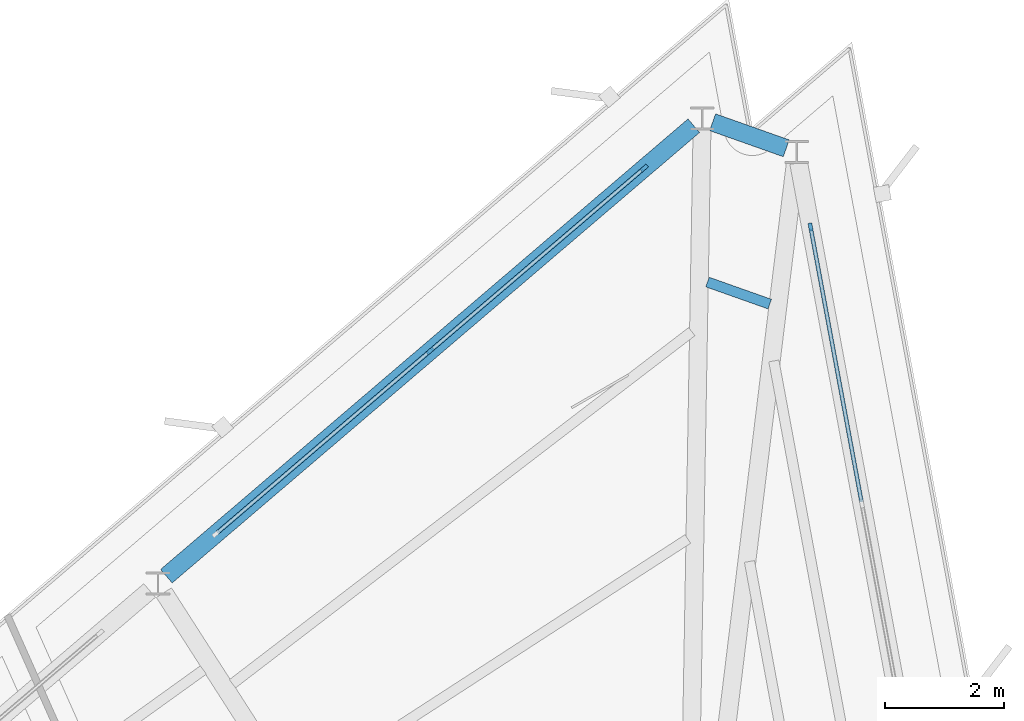
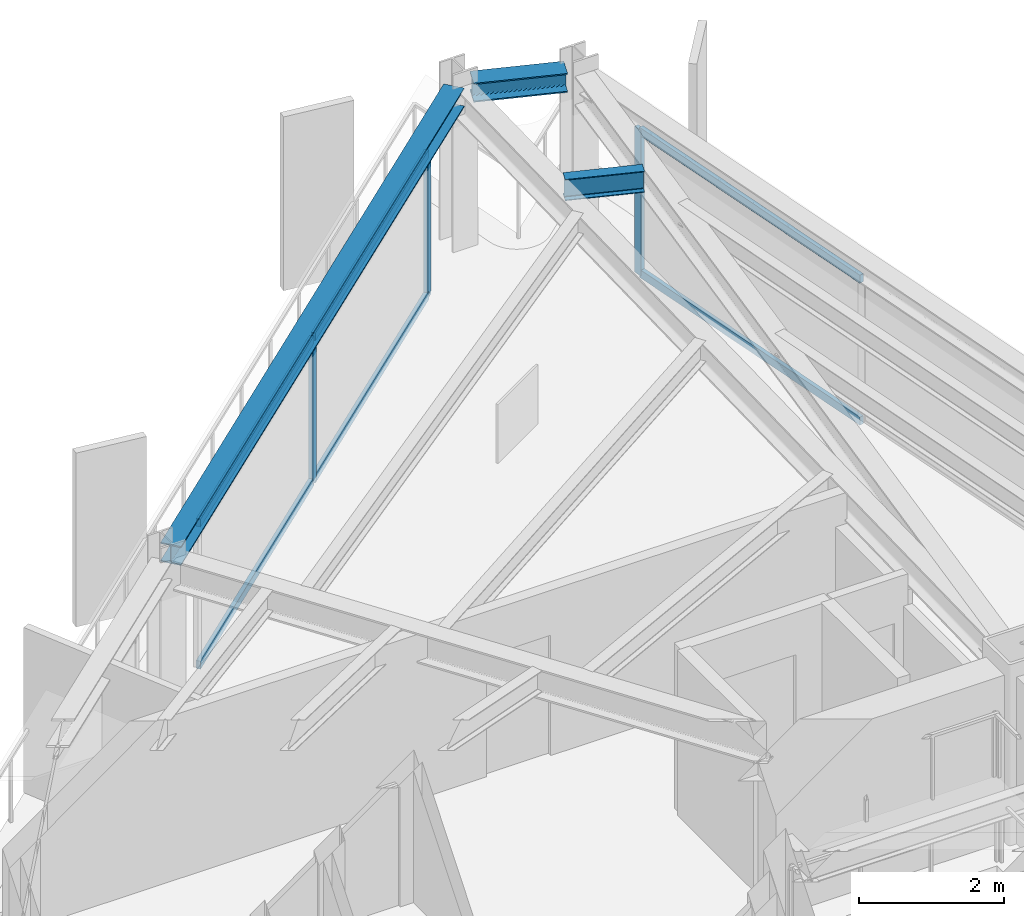
# One storey, part 7 of 14: 9 members, 3 beams, 2 elements without a shape of their own.
"""IFC4 building model written with IfcOpenShell, lengths in metres."""

from ifc_helpers import new_model, si_unit, direction, frame, origin, origin_2d, place, context, subcontext, project, spatial, rectangle, i_section, extrude, material, layer, layer_set, material_profile, profile_set, type_object, element, aggregate, save


model = new_model("IFC4")

# Units and contexts
model_context = context("Model", 3, precision=1e-05, world=origin(), true_north=direction((0.0, 1.0)))
body_context = subcontext(model_context, "Body", "Model", "MODEL_VIEW")
ifc_project = project(units=[si_unit("LENGTHUNIT", "METRE"), si_unit("AREAUNIT", "SQUARE_METRE"), si_unit("VOLUMEUNIT", "CUBIC_METRE"), si_unit("PLANEANGLEUNIT", "RADIAN"), si_unit("MASSUNIT", "GRAM", prefix="KILO")], contexts=[model_context])

# Site, building, storey
site_placement = place(None, origin())
site = spatial("IfcSite", under=ifc_project, at=site_placement, CompositionType="ELEMENT")
building_placement = place(site_placement, origin())
building = spatial("IfcBuilding", under=site, at=building_placement, Name="Rocaltana Carrier Exchange", CompositionType="ELEMENT")
storey_placement = place(building_placement, frame((0.0, 0.0, 184.47998046875)))
storey = spatial("IfcBuildingStorey", under=building, at=storey_placement, Name="L58", CompositionType="ELEMENT", Elevation=184.47998046875)

# Curtain wall, member
ifc_material_1 = material(Name="Aluminium 6063-T6", Category="aluminium")
ifc_layer = layer(ifc_material_1, 0.135009765625)
ifc_layer_set = layer_set([ifc_layer], Name="Aluminium 6063-T6")
curtain_wall_type = type_object("IfcCurtainWallType", Name="Upper-Mid Acoustic Curtain Wall CW-04", PredefinedType="NOTDEFINED", material=ifc_layer_set)
curtain_wall_1_placement = place(storey_placement, origin())
curtain_wall_1 = element("IfcCurtainWall", 1, at=curtain_wall_1_placement, inside=storey, type_object=curtain_wall_type, Name="L58 CW-04 Run CW-L58-F1S3", PredefinedType="NOTDEFINED")
ifc_material_2 = material(Name="Aluminium 6063-T6", Category="aluminium")
ifc_material_profile_1 = material_profile(ifc_material_2, rectangle(XDim=0.06494140625, YDim=0.135009765625, at=origin_2d()), Name="AL-65X135")
ifc_profile_set_1 = profile_set([ifc_material_profile_1], Name="Aluminium 6063-T6")
member_type_1 = type_object("IfcMemberType", Name="CW-04 Mullion AL-65X135", PredefinedType="MULLION", material=ifc_profile_set_1)
member_1_placement = place(storey_placement, frame((8.1474609375, 18.56298828125, 0.0), z_axis=(0.0, 0.0, 1.0), x_axis=(-0.983254796134, -0.182236126712, 0.0)))
member_1 = element("IfcMember", 2, at=member_1_placement, type_object=member_type_1, Name="CW-04 mullion 3", PredefinedType="MULLION", context=body_context, shape_type="SweptSolid", body=[
    extrude(rectangle(XDim=0.06494140625, YDim=0.135009765625, at=origin_2d()), origin(), (0.0, 0.0, 1.0), 2.447998046875),
])

# Curtain wall, members
curtain_wall_2_placement = place(storey_placement, origin())
curtain_wall_2 = element("IfcCurtainWall", 3, at=curtain_wall_2_placement, inside=storey, type_object=curtain_wall_type, Name="L58 CW-04 Run CW-L58-F2S1", PredefinedType="NOTDEFINED")
member_2_placement = place(storey_placement, frame((5.350341796875, 19.5537109375, 0.0), z_axis=(0.0, 0.0, 1.0), x_axis=(0.649447944918, -0.760406053922, 0.0)))
member_2 = element("IfcMember", 4, at=member_2_placement, type_object=member_type_1, Name="CW-04 mullion 1", PredefinedType="MULLION", context=body_context, shape_type="SweptSolid", body=[
    extrude(rectangle(XDim=0.06494140625, YDim=0.135009765625, at=origin_2d()), origin(), (0.0, 0.0, 1.0), 2.447998046875),
])
member_3_placement = place(storey_placement, frame((1.75048828125, 16.47900390625, 0.0), z_axis=(0.0, 0.0, 1.0), x_axis=(0.649447944918, -0.760406053922, 0.0)))
member_3 = element("IfcMember", 5, at=member_3_placement, type_object=member_type_1, Name="CW-04 mullion 2", PredefinedType="MULLION", context=body_context, shape_type="SweptSolid", body=[
    extrude(rectangle(XDim=0.06494140625, YDim=0.135009765625, at=origin_2d()), origin(), (0.0, 0.0, 1.0), 2.447998046875),
])

# Member
ifc_material_3 = material(Name="Aluminium 6063-T6", Category="aluminium")
ifc_material_profile_2 = material_profile(ifc_material_3, rectangle(XDim=0.06494140625, YDim=0.135009765625, at=origin_2d()), Name="AL-65X135")
ifc_profile_set_2 = profile_set([ifc_material_profile_2], Name="Aluminium 6063-T6")
member_type_2 = type_object("IfcMemberType", Name="CW-04 Transom AL-65X135", PredefinedType="USERDEFINED", material=ifc_profile_set_2)
member_4_placement = place(storey_placement, frame((9.00439453125, 13.940185546875, 0.032470703125), z_axis=(-0.182229691605, 0.983255988793, 0.0), x_axis=(-0.983255988793, -0.182229691605, 0.0)))
member_4 = element("IfcMember", 6, at=member_4_placement, type_object=member_type_2, Name="CW-04 transom 2.1", ObjectType="TRANSOM", PredefinedType="USERDEFINED", context=body_context, shape_type="SweptSolid", body=[
    extrude(rectangle(XDim=0.06494140625, YDim=0.135009765625, at=origin_2d()), origin(), (0.0, 0.0, 1.0), 4.6689453125),
])

member_5_placement = place(storey_placement, frame((9.00439453125, 13.940185546875, 2.41552734375), z_axis=(-0.182229691605, 0.983255988793, 0.0), x_axis=(-0.983255988793, -0.182229691605, 0.0)))
member_5 = element("IfcMember", 7, at=member_5_placement, type_object=member_type_2, Name="CW-04 transom 2.2", ObjectType="TRANSOM", PredefinedType="USERDEFINED", context=body_context, shape_type="SweptSolid", body=[
    extrude(rectangle(XDim=0.06494140625, YDim=0.135009765625, at=origin_2d()), origin(), (0.0, 0.0, 1.0), 4.6689453125),
])

aggregate(curtain_wall_1, [member_1, member_4, member_5])

member_6_placement = place(storey_placement, frame((5.32568359375, 19.532470703125, 0.032470703125), z_axis=(-0.760429086615, -0.649420976123, 0.0), x_axis=(0.649420976123, -0.760429086615, 0.0)))
member_6 = element("IfcMember", 8, at=member_6_placement, type_object=member_type_2, Name="CW-04 transom 1.1", ObjectType="TRANSOM", PredefinedType="USERDEFINED", context=body_context, shape_type="SweptSolid", body=[
    extrude(rectangle(XDim=0.06494140625, YDim=0.135009765625, at=origin_2d()), origin(), (0.0, 0.0, 1.0), 4.669189453125),
])

member_7_placement = place(storey_placement, frame((5.32568359375, 19.532470703125, 2.41552734375), z_axis=(-0.760429086615, -0.649420976123, 0.0), x_axis=(0.649420976123, -0.760429086615, 0.0)))
member_7 = element("IfcMember", 9, at=member_7_placement, type_object=member_type_2, Name="CW-04 transom 1.2", ObjectType="TRANSOM", PredefinedType="USERDEFINED", context=body_context, shape_type="SweptSolid", body=[
    extrude(rectangle(XDim=0.06494140625, YDim=0.135009765625, at=origin_2d()), origin(), (0.0, 0.0, 1.0), 4.669189453125),
])

member_8_placement = place(storey_placement, frame((1.7255859375, 16.4580078125, 0.032470703125), z_axis=(-0.760381209804, -0.649477032525, 0.0), x_axis=(0.649477032525, -0.760381209804, 0.0)))
member_8 = element("IfcMember", 10, at=member_8_placement, type_object=member_type_2, Name="CW-04 transom 2.1", ObjectType="TRANSOM", PredefinedType="USERDEFINED", context=body_context, shape_type="SweptSolid", body=[
    extrude(rectangle(XDim=0.06494140625, YDim=0.135009765625, at=origin_2d()), origin(), (0.0, 0.0, 1.0), 4.669189453125),
])

member_9_placement = place(storey_placement, frame((1.7255859375, 16.4580078125, 2.41552734375), z_axis=(-0.760381209804, -0.649477032525, 0.0), x_axis=(0.649477032525, -0.760381209804, 0.0)))
member_9 = element("IfcMember", 11, at=member_9_placement, type_object=member_type_2, Name="CW-04 transom 2.2", ObjectType="TRANSOM", PredefinedType="USERDEFINED", context=body_context, shape_type="SweptSolid", body=[
    extrude(rectangle(XDim=0.06494140625, YDim=0.135009765625, at=origin_2d()), origin(), (0.0, 0.0, 1.0), 4.669189453125),
])

aggregate(curtain_wall_2, [member_2, member_3, member_6, member_7, member_8, member_9])

# Beams
ifc_material_4 = material(Name="Steel S355", Category="steel")
ifc_material_profile_3 = material_profile(ifc_material_4, i_section(OverallWidth=0.172119140625, OverallDepth=0.35791015625, WebThickness=0.0078125, FlangeThickness=0.01318359375, FilletRadius=0.011962890625, at=origin_2d()), Name="W14X38")
ifc_profile_set_3 = profile_set([ifc_material_profile_3], Name="Steel S355")
beam_type_1 = type_object("IfcBeamType", Name="Floor Joist W14X38", PredefinedType="JOIST", material=ifc_profile_set_3)
beam_1_placement = place(storey_placement, frame((7.461181640625, 17.26708984375, 2.619140625), z_axis=(-0.942673337603, 0.333716913825, 0.0), x_axis=(-0.333716913825, -0.942673337603, 0.0)))
element("IfcBeam", 12, at=beam_1_placement, inside=storey, type_object=beam_type_1, Name="FJ-L58-04-3", PredefinedType="JOIST", context=body_context, shape_type="SweptSolid", body=[
    extrude(i_section(OverallWidth=0.172119140625, OverallDepth=0.35791015625, WebThickness=0.0078125, FlangeThickness=0.01318359375, FilletRadius=0.011962890625, at=origin_2d()), origin(), (0.0, 0.0, 1.0), 1.110595703125),
])
ifc_material_5 = material(Name="Steel S355", Category="steel")
ifc_material_profile_4 = material_profile(ifc_material_5, i_section(OverallWidth=0.300048828125, OverallDepth=0.320068359375, WebThickness=0.011474609375, FlangeThickness=0.0205078125, FilletRadius=0.027099609375, at=origin_2d()), Name="HEB320")
ifc_profile_set_4 = profile_set([ifc_material_profile_4], Name="Steel S355")
beam_type_2 = type_object("IfcBeamType", Name="Spandrel Edge Beam HEB320", PredefinedType="SPANDREL", material=ifc_profile_set_4)
beam_2_placement = place(storey_placement, frame((7.739013671875, 19.885986328125, 2.637939453125), z_axis=(-0.94260895098, 0.333898735445, 0.0), x_axis=(-0.333898735445, -0.94260895098, 0.0)))
element("IfcBeam", 13, at=beam_2_placement, inside=storey, type_object=beam_type_2, Name="SP-L58-04", PredefinedType="SPANDREL", context=body_context, shape_type="SweptSolid", body=[
    extrude(i_section(OverallWidth=0.300048828125, OverallDepth=0.320068359375, WebThickness=0.011474609375, FlangeThickness=0.0205078125, FilletRadius=0.027099609375, at=origin_2d()), origin(), (0.0, 0.0, 1.0), 1.31396484375),
])
beam_3_placement = place(storey_placement, frame((6.184326171875, 20.26611328125, 2.637939453125), z_axis=(-0.760403616076, -0.64945079926, 0.0), x_axis=(0.64945079926, -0.760403616076, 0.0)))
element("IfcBeam", 14, at=beam_3_placement, inside=storey, type_object=beam_type_2, Name="SP-L58-05", PredefinedType="SPANDREL", context=body_context, shape_type="SweptSolid", body=[
    extrude(i_section(OverallWidth=0.300048828125, OverallDepth=0.320068359375, WebThickness=0.011474609375, FlangeThickness=0.0205078125, FilletRadius=0.027099609375, at=origin_2d()), origin(), (0.0, 0.0, 1.0), 11.662109375),
])

save(model, "model.ifc")
